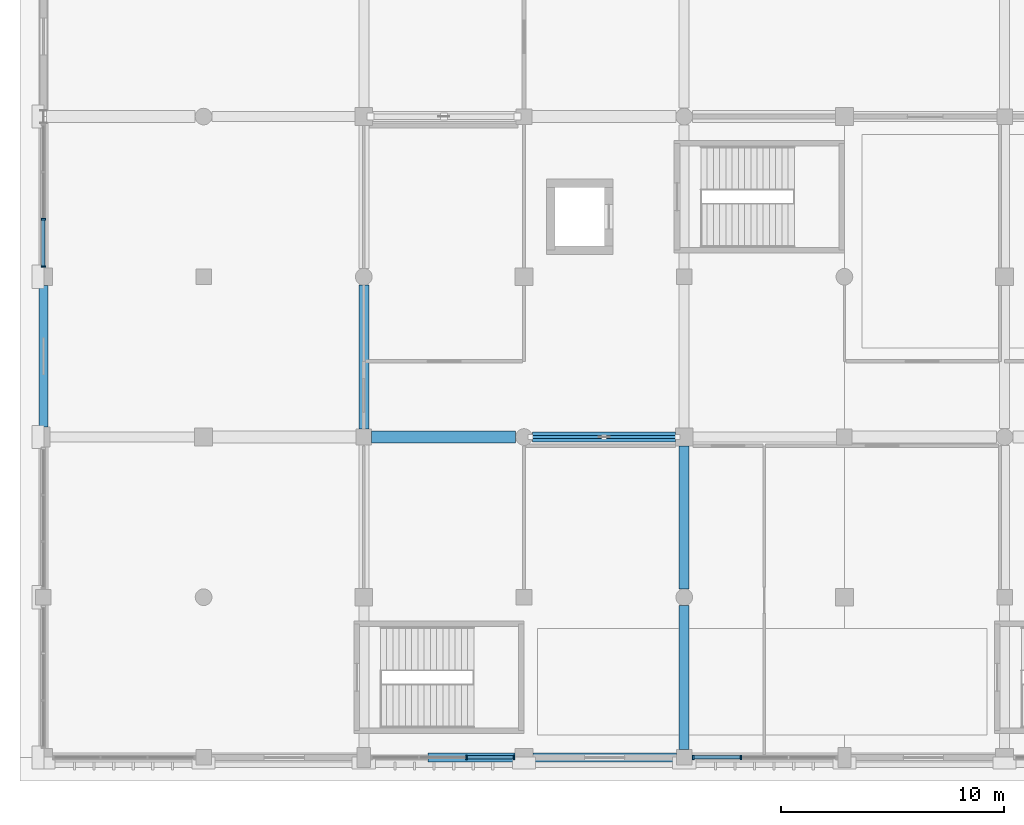
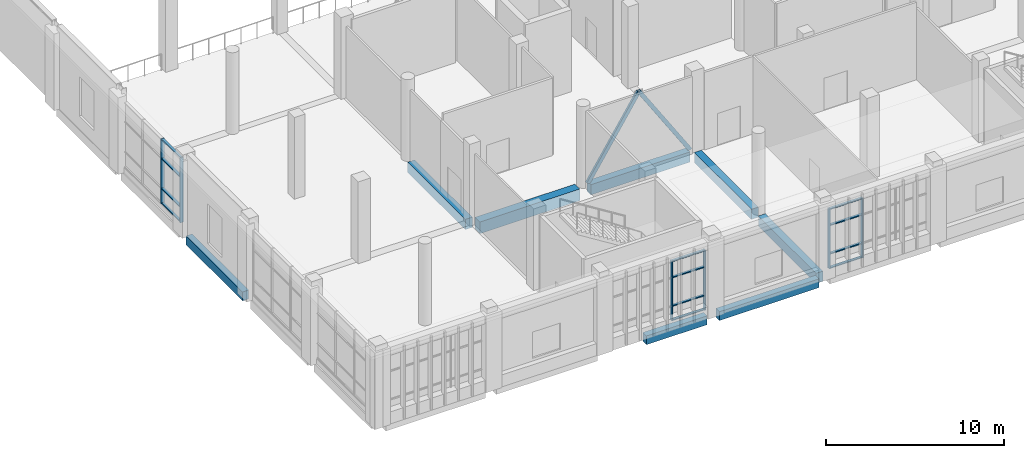
# One storey, part 9 of 80: 20 members, 8 beams, 3 elements without a shape of their own.
"""IFC4 building model written with IfcOpenShell, lengths in metres."""

from ifc_helpers import new_model, si_unit, direction, frame, origin, origin_2d, place, context, subcontext, project, spatial, rectangle, hollow_rectangle, extrude, material, material_profile, profile_set, type_object, element, aggregate, save


model = new_model("IFC4")

# Units and contexts
model_context = context("Model", 3, precision=1e-05, world=origin(), true_north=direction((0.0, 1.0)))
body_context = subcontext(model_context, "Body", "Model", "MODEL_VIEW")
ifc_project = project(units=[si_unit("LENGTHUNIT", "METRE"), si_unit("AREAUNIT", "SQUARE_METRE"), si_unit("VOLUMEUNIT", "CUBIC_METRE"), si_unit("PLANEANGLEUNIT", "RADIAN"), si_unit("MASSUNIT", "GRAM", prefix="KILO")], contexts=[model_context])

# Site, building, storey
site_placement = place(None, origin())
site = spatial("IfcSite", under=ifc_project, at=site_placement, CompositionType="ELEMENT")
building_placement = place(site_placement, origin())
building = spatial("IfcBuilding", under=site, at=building_placement, Name="Sardonyx Promenade Sports Hall", CompositionType="ELEMENT")
storey_placement = place(building_placement, frame((0.0, 0.0, 5.60009765625)))
storey = spatial("IfcBuildingStorey", under=building, at=storey_placement, Name="L01", CompositionType="ELEMENT", Elevation=5.60009765625)

# Beams
ifc_material_1 = material(Name="Concrete C40/50", Category="concrete")
ifc_material_profile_1 = material_profile(ifc_material_1, rectangle(XDim=0.550048828125, YDim=0.800048828125, at=origin_2d()))
ifc_profile_set_1 = profile_set([ifc_material_profile_1], Name="Concrete C40/50")
beam_type_1 = type_object("IfcBeamType", Name="Bm_Girder_RC800", PredefinedType="BEAM", material=ifc_profile_set_1)
beam_1_placement = place(storey_placement, frame((14.75, 14.39990234375, -0.400146484375), z_axis=(1.0, 0.0, 0.0), x_axis=(0.0, 1.0, 0.0)))
element("IfcBeam", 1, at=beam_1_placement, inside=storey, type_object=beam_type_1, Name="Beam BG04 L01 #187", PredefinedType="BEAM", context=body_context, shape_type="SweptSolid", body=[
    extrude(rectangle(XDim=0.550048828125, YDim=0.800048828125, at=origin_2d()), origin(), (0.0, 0.0, 1.0), 6.47509765625),
])
ifc_material_2 = material(Name="Concrete C40/50", Category="concrete")
ifc_material_profile_2 = material_profile(ifc_material_2, rectangle(XDim=0.449951171875, YDim=0.699951171875, at=origin_2d()))
ifc_profile_set_2 = profile_set([ifc_material_profile_2], Name="Concrete C40/50")
beam_type_2 = type_object("IfcBeamType", Name="Bm_Primary_RC700", PredefinedType="BEAM", material=ifc_profile_set_2)
beam_2_placement = place(storey_placement, frame((21.97509765625, 14.39990234375, -0.35009765625), z_axis=(1.0, 0.0, 0.0), x_axis=(0.0, 1.0, 0.0)))
element("IfcBeam", 2, at=beam_2_placement, inside=storey, type_object=beam_type_2, Name="Beam BG01 L01 #188", PredefinedType="BEAM", context=body_context, shape_type="SweptSolid", body=[
    extrude(rectangle(XDim=0.449951171875, YDim=0.699951171875, at=origin_2d()), origin(), (0.0, 0.0, 1.0), 6.4248046875),
])
beam_3_placement = place(storey_placement, frame((14.39990234375, 14.75, -0.35009765625), z_axis=(0.0, 1.0, 0.0), x_axis=(-1.0, 0.0, 0.0)))
element("IfcBeam", 3, at=beam_3_placement, inside=storey, type_object=beam_type_2, Name="Beam BG01 L01 #300", PredefinedType="BEAM", context=body_context, shape_type="SweptSolid", body=[
    extrude(rectangle(XDim=0.449951171875, YDim=0.699951171875, at=origin_2d()), origin(), (0.0, 0.0, 1.0), 6.47509765625),
])
beam_4_placement = place(storey_placement, frame((28.800048828125, 0.35009765625, -0.35009765625), z_axis=(0.0, 1.0, 0.0), x_axis=(-1.0, 0.0, 0.0)))
element("IfcBeam", 4, at=beam_4_placement, inside=storey, type_object=beam_type_2, Name="Beam BG01 L01 #307", PredefinedType="BEAM", context=body_context, shape_type="SweptSolid", body=[
    extrude(rectangle(XDim=0.449951171875, YDim=0.699951171875, at=origin_2d()), origin(), (0.0, 0.0, 1.0), 6.474853515625),
])
beam_5_placement = place(storey_placement, frame((28.800048828125, 7.574951171875, -0.35009765625), z_axis=(0.0, 1.0, 0.0), x_axis=(-1.0, 0.0, 0.0)))
element("IfcBeam", 5, at=beam_5_placement, inside=storey, type_object=beam_type_2, Name="Beam BG01 L01 #308", PredefinedType="BEAM", context=body_context, shape_type="SweptSolid", body=[
    extrude(rectangle(XDim=0.449951171875, YDim=0.699951171875, at=origin_2d()), origin(), (0.0, 0.0, 1.0), 6.425048828125),
])
ifc_material_3 = material(Name="Concrete C40/50", Category="concrete")
ifc_material_profile_3 = material_profile(ifc_material_3, rectangle(XDim=0.39990234375, YDim=0.60009765625, at=origin_2d()))
ifc_profile_set_3 = profile_set([ifc_material_profile_3], Name="Concrete C40/50")
beam_type_3 = type_object("IfcBeamType", Name="Bm_Spandrel_RC600", PredefinedType="SPANDREL", material=ifc_profile_set_3)
beam_6_placement = place(storey_placement, frame((17.27490234375, 0.0, -0.300048828125), z_axis=(1.0, 0.0, 0.0), x_axis=(0.0, 1.0, 0.0)))
element("IfcBeam", 6, at=beam_6_placement, inside=storey, type_object=beam_type_3, Name="Beam SPB1 L01 #164", PredefinedType="SPANDREL", context=body_context, shape_type="SweptSolid", body=[
    extrude(rectangle(XDim=0.39990234375, YDim=0.60009765625, at=origin_2d()), origin(), (0.0, 0.0, 1.0), 3.925048828125),
])
beam_7_placement = place(storey_placement, frame((22.0, 0.0, -0.300048828125), z_axis=(1.0, 0.0, 0.0), x_axis=(0.0, 1.0, 0.0)))
element("IfcBeam", 7, at=beam_7_placement, inside=storey, type_object=beam_type_3, Name="Beam SPB1 L01 #165", PredefinedType="SPANDREL", context=body_context, shape_type="SweptSolid", body=[
    extrude(rectangle(XDim=0.39990234375, YDim=0.60009765625, at=origin_2d()), origin(), (0.0, 0.0, 1.0), 6.449951171875),
])
beam_8_placement = place(storey_placement, frame((0.0, 14.85009765625, -0.300048828125), z_axis=(0.0, 1.0, 0.0), x_axis=(-1.0, 0.0, 0.0)))
element("IfcBeam", 8, at=beam_8_placement, inside=storey, type_object=beam_type_3, Name="Beam SPB1 L01 #293", PredefinedType="SPANDREL", context=body_context, shape_type="SweptSolid", body=[
    extrude(rectangle(XDim=0.39990234375, YDim=0.60009765625, at=origin_2d()), origin(), (0.0, 0.0, 1.0), 6.349853515625),
])

# Curtain wall, members
ifc_material_4 = material(Name="Aluminium 6063-T6", Category="aluminium")
curtain_wall_type_1 = type_object("IfcCurtainWallType", Name="CW_South_L01_640", PredefinedType="USERDEFINED", material=ifc_material_4)
curtain_wall_1_placement = place(storey_placement, origin())
curtain_wall_1 = element("IfcCurtainWall", 9, at=curtain_wall_1_placement, inside=storey, type_object=curtain_wall_type_1, Name="Curtain wall CW08 cw:L01:026", ObjectType="CURTAIN WALL", PredefinedType="USERDEFINED")
ifc_material_5 = material(Name="Aluminium 6063-T6", Category="aluminium")
ifc_material_profile_4 = material_profile(ifc_material_5, rectangle(XDim=0.070068359375, YDim=0.199951171875, at=origin_2d()))
ifc_profile_set_4 = profile_set([ifc_material_profile_4], Name="Aluminium 6063-T6")
member_type_1 = type_object("IfcMemberType", Name="CW_Mull_200", PredefinedType="MULLION", material=ifc_profile_set_4)
member_1_placement = place(storey_placement, frame((31.3515625, 0.0, 0.349853515625), z_axis=(0.0, 0.0, 1.0), x_axis=(-1.0, 0.0, 0.0)))
member_1 = element("IfcMember", 10, at=member_1_placement, type_object=member_type_1, Name="Mullion CM03 cw:L01:026 #3", PredefinedType="MULLION", context=body_context, shape_type="SweptSolid", body=[
    extrude(rectangle(XDim=0.070068359375, YDim=0.199951171875, at=origin_2d()), origin(), (0.0, 0.0, 1.0), 4.10009765625),
])
member_2_placement = place(storey_placement, frame((29.205078125, 0.0, 0.349853515625), z_axis=(0.0, 0.0, 1.0), x_axis=(-1.0, 0.0, 0.0)))
member_2 = element("IfcMember", 11, at=member_2_placement, type_object=member_type_1, Name="Mullion CM03 cw:L01:026 #4", PredefinedType="MULLION", context=body_context, shape_type="SweptSolid", body=[
    extrude(rectangle(XDim=0.070068359375, YDim=0.199951171875, at=origin_2d()), origin(), (0.0, 0.0, 1.0), 4.10009765625),
])

curtain_wall_2_placement = place(storey_placement, origin())
curtain_wall_2 = element("IfcCurtainWall", 12, at=curtain_wall_2_placement, inside=storey, type_object=curtain_wall_type_1, Name="Curtain wall CW08 cw:L01:027", ObjectType="CURTAIN WALL", PredefinedType="USERDEFINED")
member_3_placement = place(storey_placement, frame((21.14501953125, 0.0, 0.349853515625), z_axis=(0.0, 0.0, 1.0), x_axis=(-1.0, 0.0, 0.0)))
member_3 = element("IfcMember", 13, at=member_3_placement, type_object=member_type_1, Name="Mullion CM03 cw:L01:027 #1", PredefinedType="MULLION", context=body_context, shape_type="SweptSolid", body=[
    extrude(rectangle(XDim=0.070068359375, YDim=0.199951171875, at=origin_2d()), origin(), (0.0, 0.0, 1.0), 4.10009765625),
])
member_4_placement = place(storey_placement, frame((19.014892578125, 0.0, 0.349853515625), z_axis=(0.0, 0.0, 1.0), x_axis=(-1.0, 0.0, 0.0)))
member_4 = element("IfcMember", 14, at=member_4_placement, type_object=member_type_1, Name="Mullion CM03 cw:L01:027 #2", PredefinedType="MULLION", context=body_context, shape_type="SweptSolid", body=[
    extrude(rectangle(XDim=0.070068359375, YDim=0.199951171875, at=origin_2d()), origin(), (0.0, 0.0, 1.0), 4.10009765625),
])

ifc_material_6 = material(Name="Aluminium 6063-T6", Category="aluminium")
curtain_wall_type_2 = type_object("IfcCurtainWallType", Name="CW_Climb_North_L01", PredefinedType="USERDEFINED", material=ifc_material_6)
curtain_wall_3_placement = place(storey_placement, origin())
curtain_wall_3 = element("IfcCurtainWall", 15, at=curtain_wall_3_placement, inside=storey, type_object=curtain_wall_type_2, Name="Curtain wall CW19 cw:L01:065", ObjectType="CURTAIN WALL", PredefinedType="USERDEFINED")
member_5_placement = place(storey_placement, frame((0.0, 22.054931640625, 0.349853515625), z_axis=(0.0, 0.0, 1.0), x_axis=(0.0, 1.0, 0.0)))
member_5 = element("IfcMember", 16, at=member_5_placement, type_object=member_type_1, Name="Mullion CM03 cw:L01:065 #1", PredefinedType="MULLION", context=body_context, shape_type="SweptSolid", body=[
    extrude(rectangle(XDim=0.070068359375, YDim=0.199951171875, at=origin_2d()), origin(), (0.0, 0.0, 1.0), 4.449951171875),
])
member_6_placement = place(storey_placement, frame((0.0, 24.186767578125, 0.349853515625), z_axis=(0.0, 0.0, 1.0), x_axis=(0.0, 1.0, 0.0)))
member_6 = element("IfcMember", 17, at=member_6_placement, type_object=member_type_1, Name="Mullion CM03 cw:L01:065 #2", PredefinedType="MULLION", context=body_context, shape_type="SweptSolid", body=[
    extrude(rectangle(XDim=0.070068359375, YDim=0.199951171875, at=origin_2d()), origin(), (0.0, 0.0, 1.0), 4.449951171875),
])

# Member
ifc_material_7 = material(Name="Aluminium 6063-T6", Category="aluminium")
ifc_material_profile_5 = material_profile(ifc_material_7, rectangle(XDim=0.070068359375, YDim=0.159912109375, at=origin_2d()))
ifc_profile_set_5 = profile_set([ifc_material_profile_5], Name="Aluminium 6063-T6")
member_type_2 = type_object("IfcMemberType", Name="CW_Tran_160", PredefinedType="USERDEFINED", material=ifc_profile_set_5)
member_7_placement = place(storey_placement, frame((31.316650390625, 0.0, 0.385009765625), z_axis=(-1.0, 0.0, 0.0), x_axis=(0.0, 0.0, 1.0)))
member_7 = element("IfcMember", 18, at=member_7_placement, type_object=member_type_2, Name="Transom CT03 cw:L01:026 #9", ObjectType="TRANSOM", PredefinedType="USERDEFINED", context=body_context, shape_type="SweptSolid", body=[
    extrude(rectangle(XDim=0.070068359375, YDim=0.159912109375, at=origin_2d()), origin(), (0.0, 0.0, 1.0), 2.07666015625),
])

member_8_placement = place(storey_placement, frame((31.316650390625, 0.0, 1.349853515625), z_axis=(-1.0, 0.0, 0.0), x_axis=(0.0, 0.0, 1.0)))
member_8 = element("IfcMember", 19, at=member_8_placement, type_object=member_type_2, Name="Transom CT03 cw:L01:026 #10", ObjectType="TRANSOM", PredefinedType="USERDEFINED", context=body_context, shape_type="SweptSolid", body=[
    extrude(rectangle(XDim=0.070068359375, YDim=0.159912109375, at=origin_2d()), origin(), (0.0, 0.0, 1.0), 2.07666015625),
])

member_9_placement = place(storey_placement, frame((31.316650390625, 0.0, 3.2998046875), z_axis=(-1.0, 0.0, 0.0), x_axis=(0.0, 0.0, 1.0)))
member_9 = element("IfcMember", 20, at=member_9_placement, type_object=member_type_2, Name="Transom CT03 cw:L01:026 #11", ObjectType="TRANSOM", PredefinedType="USERDEFINED", context=body_context, shape_type="SweptSolid", body=[
    extrude(rectangle(XDim=0.070068359375, YDim=0.159912109375, at=origin_2d()), origin(), (0.0, 0.0, 1.0), 2.07666015625),
])

member_10_placement = place(storey_placement, frame((31.316650390625, 0.0, 4.414794921875), z_axis=(-1.0, 0.0, 0.0), x_axis=(0.0, 0.0, 1.0)))
member_10 = element("IfcMember", 21, at=member_10_placement, type_object=member_type_2, Name="Transom CT03 cw:L01:026 #12", ObjectType="TRANSOM", PredefinedType="USERDEFINED", context=body_context, shape_type="SweptSolid", body=[
    extrude(rectangle(XDim=0.070068359375, YDim=0.159912109375, at=origin_2d()), origin(), (0.0, 0.0, 1.0), 2.07666015625),
])

aggregate(curtain_wall_1, [member_1, member_2, member_7, member_8, member_9, member_10])

member_11_placement = place(storey_placement, frame((21.110107421875, 0.0, 0.385009765625), z_axis=(-1.0, 0.0, 0.0), x_axis=(0.0, 0.0, 1.0)))
member_11 = element("IfcMember", 22, at=member_11_placement, type_object=member_type_2, Name="Transom CT03 cw:L01:027 #1", ObjectType="TRANSOM", PredefinedType="USERDEFINED", context=body_context, shape_type="SweptSolid", body=[
    extrude(rectangle(XDim=0.070068359375, YDim=0.159912109375, at=origin_2d()), origin(), (0.0, 0.0, 1.0), 2.06005859375),
])

member_12_placement = place(storey_placement, frame((21.110107421875, 0.0, 1.349853515625), z_axis=(-1.0, 0.0, 0.0), x_axis=(0.0, 0.0, 1.0)))
member_12 = element("IfcMember", 23, at=member_12_placement, type_object=member_type_2, Name="Transom CT03 cw:L01:027 #2", ObjectType="TRANSOM", PredefinedType="USERDEFINED", context=body_context, shape_type="SweptSolid", body=[
    extrude(rectangle(XDim=0.070068359375, YDim=0.159912109375, at=origin_2d()), origin(), (0.0, 0.0, 1.0), 2.06005859375),
])

member_13_placement = place(storey_placement, frame((21.110107421875, 0.0, 3.2998046875), z_axis=(-1.0, 0.0, 0.0), x_axis=(0.0, 0.0, 1.0)))
member_13 = element("IfcMember", 24, at=member_13_placement, type_object=member_type_2, Name="Transom CT03 cw:L01:027 #3", ObjectType="TRANSOM", PredefinedType="USERDEFINED", context=body_context, shape_type="SweptSolid", body=[
    extrude(rectangle(XDim=0.070068359375, YDim=0.159912109375, at=origin_2d()), origin(), (0.0, 0.0, 1.0), 2.06005859375),
])

member_14_placement = place(storey_placement, frame((21.110107421875, 0.0, 4.414794921875), z_axis=(-1.0, 0.0, 0.0), x_axis=(0.0, 0.0, 1.0)))
member_14 = element("IfcMember", 25, at=member_14_placement, type_object=member_type_2, Name="Transom CT03 cw:L01:027 #4", ObjectType="TRANSOM", PredefinedType="USERDEFINED", context=body_context, shape_type="SweptSolid", body=[
    extrude(rectangle(XDim=0.070068359375, YDim=0.159912109375, at=origin_2d()), origin(), (0.0, 0.0, 1.0), 2.06005859375),
])

aggregate(curtain_wall_2, [member_3, member_4, member_11, member_12, member_13, member_14])

member_15_placement = place(storey_placement, frame((0.0, 22.090087890625, 0.385009765625), z_axis=(0.0, 1.0, 0.0), x_axis=(0.0, 0.0, 1.0)))
member_15 = element("IfcMember", 26, at=member_15_placement, type_object=member_type_2, Name="Transom CT03 cw:L01:065 #1", ObjectType="TRANSOM", PredefinedType="USERDEFINED", context=body_context, shape_type="SweptSolid", body=[
    extrude(rectangle(XDim=0.070068359375, YDim=0.159912109375, at=origin_2d()), origin(), (0.0, 0.0, 1.0), 2.0615234375),
])

member_16_placement = place(storey_placement, frame((0.0, 22.090087890625, 1.39990234375), z_axis=(0.0, 1.0, 0.0), x_axis=(0.0, 0.0, 1.0)))
member_16 = element("IfcMember", 27, at=member_16_placement, type_object=member_type_2, Name="Transom CT03 cw:L01:065 #2", ObjectType="TRANSOM", PredefinedType="USERDEFINED", context=body_context, shape_type="SweptSolid", body=[
    extrude(rectangle(XDim=0.070068359375, YDim=0.159912109375, at=origin_2d()), origin(), (0.0, 0.0, 1.0), 2.0615234375),
])

member_17_placement = place(storey_placement, frame((0.0, 22.090087890625, 3.449951171875), z_axis=(0.0, 1.0, 0.0), x_axis=(0.0, 0.0, 1.0)))
member_17 = element("IfcMember", 28, at=member_17_placement, type_object=member_type_2, Name="Transom CT03 cw:L01:065 #3", ObjectType="TRANSOM", PredefinedType="USERDEFINED", context=body_context, shape_type="SweptSolid", body=[
    extrude(rectangle(XDim=0.070068359375, YDim=0.159912109375, at=origin_2d()), origin(), (0.0, 0.0, 1.0), 2.0615234375),
])

member_18_placement = place(storey_placement, frame((0.0, 22.090087890625, 4.764892578125), z_axis=(0.0, 1.0, 0.0), x_axis=(0.0, 0.0, 1.0)))
member_18 = element("IfcMember", 29, at=member_18_placement, type_object=member_type_2, Name="Transom CT03 cw:L01:065 #4", ObjectType="TRANSOM", PredefinedType="USERDEFINED", context=body_context, shape_type="SweptSolid", body=[
    extrude(rectangle(XDim=0.070068359375, YDim=0.159912109375, at=origin_2d()), origin(), (0.0, 0.0, 1.0), 2.0615234375),
])

aggregate(curtain_wall_3, [member_5, member_6, member_15, member_16, member_17, member_18])

# Members
ifc_material_8 = material(Name="Steel S355JR", Category="steel")
ifc_material_profile_6 = material_profile(ifc_material_8, hollow_rectangle(XDim=0.14990234375, YDim=0.25, WallThickness=0.010009765625, at=origin_2d()))
ifc_profile_set_6 = profile_set([ifc_material_profile_6], Name="Steel S355JR")
member_type_3 = type_object("IfcMemberType", Name="Mbr_Brace_RHS250_Int", PredefinedType="BRACE", material=ifc_profile_set_6)
for number, where, z_axis, x_axis, name in (
    (30, (21.89990234375, 14.39990234375, 0.02001953125), (0.541020546305, 0.0, 0.841009374785), (0.0, 1.0, 0.0), "Chevron brace BR03 BF7 L01 leg 1"),
    (31, (28.5, 14.39990234375, 0.02001953125), (-0.541020546305, 0.0, 0.841009374785), (0.0, -1.0, 0.0), "Chevron brace BR03 BF7 L01 leg 2"),
):
    element("IfcMember", number, at=place(storey_placement, frame(where, z_axis=z_axis, x_axis=x_axis)), inside=storey, type_object=member_type_3, Name=name, PredefinedType="BRACE", context=body_context, shape_type="SweptSolid", body=[
        extrude(hollow_rectangle(XDim=0.14990234375, YDim=0.25, WallThickness=0.010009765625, at=origin_2d()), origin(), (0.0, 0.0, 1.0), 6.099609375),
    ])

save(model, "model.ifc")
